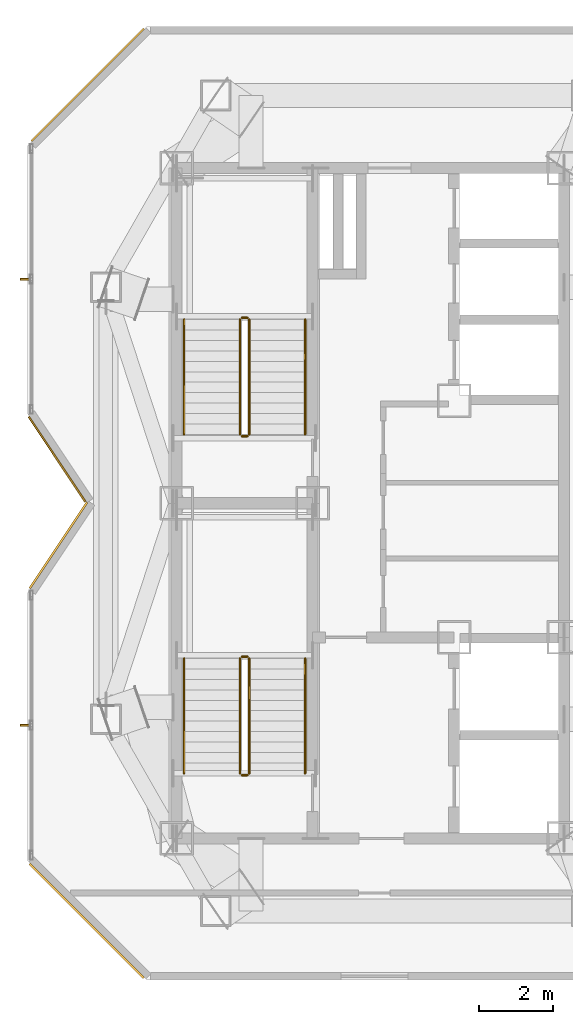
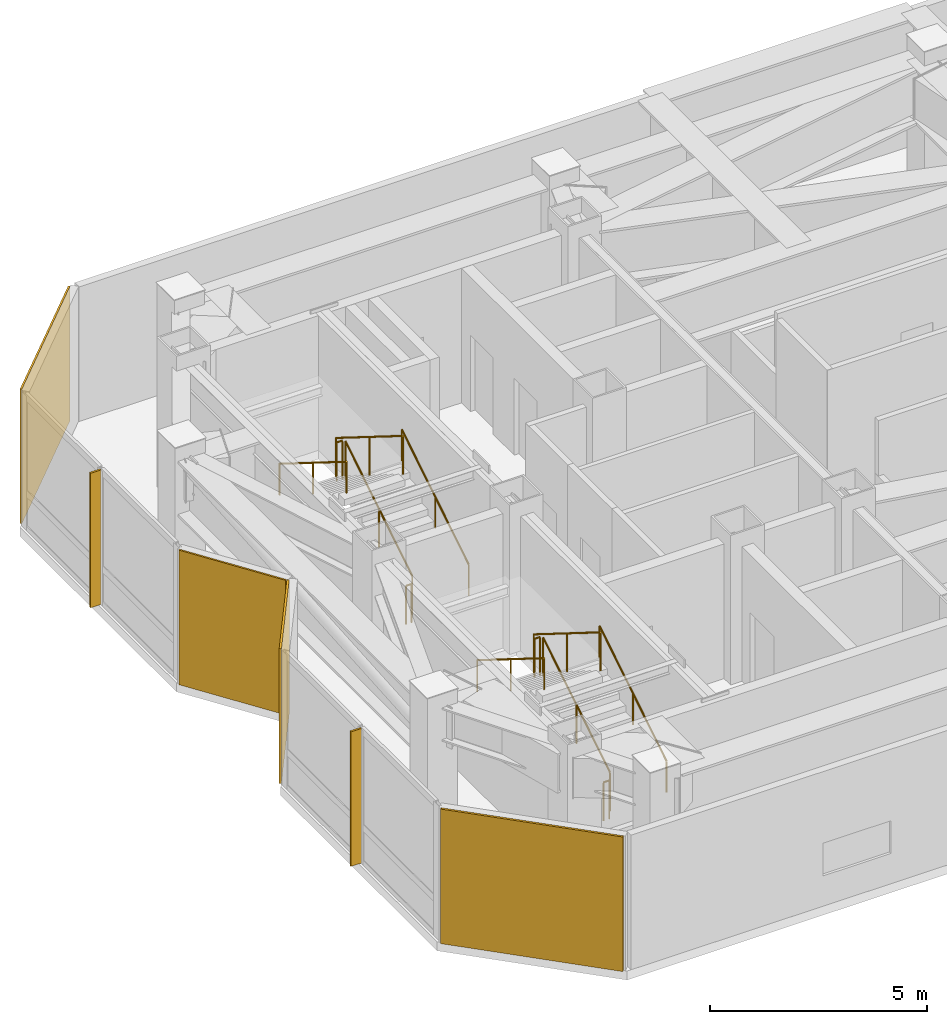
# One storey, part 14 of 15: 12 railings, 4 coverings, 2 shading devices.
"""IFC4 building model written with IfcOpenShell, lengths in metres."""

from ifc_helpers import new_model, si_unit, direction, frame, origin, origin_2d, place, context, subcontext, project, spatial, rectangle, circle, extrude, material, layer, layer_set, type_object, element, save


model = new_model("IFC4")

# Units and contexts
model_context = context("Model", 3, precision=1e-05, world=origin(), true_north=direction((0.0, 1.0)))
body_context = subcontext(model_context, "Body", "Model", "MODEL_VIEW")
ifc_project = project(units=[si_unit("LENGTHUNIT", "METRE"), si_unit("AREAUNIT", "SQUARE_METRE"), si_unit("VOLUMEUNIT", "CUBIC_METRE"), si_unit("PLANEANGLEUNIT", "RADIAN"), si_unit("MASSUNIT", "GRAM", prefix="KILO")], contexts=[model_context])

# Site, building, storey
site_placement = place(None, origin())
site = spatial("IfcSite", under=ifc_project, at=site_placement, CompositionType="ELEMENT")
building_placement = place(site_placement, origin())
building = spatial("IfcBuilding", under=site, at=building_placement, Name="Khamvora Tower", CompositionType="ELEMENT")
storey_placement = place(building_placement, frame((0.0, 0.0, 290.449951171875)))
storey = spatial("IfcBuildingStorey", under=building, at=storey_placement, Name="L74", CompositionType="ELEMENT", Elevation=290.449951171875)

# Coverings
ifc_material_1 = material(Name="Pale Anodised Aluminium Rainscreen Panel", Category="aluminium")
ifc_layer_1 = layer(ifc_material_1, 0.044921875)
ifc_layer_set_1 = layer_set([ifc_layer_1], Name="Pale Anodised Aluminium Rainscreen Panel")
covering_type_1 = type_object("IfcCoveringType", Name="COV-CLD-ALU", PredefinedType="CLADDING", material=ifc_layer_set_1)
covering_1_placement = place(storey_placement, frame((25.7890625, 29.18408203125, 0.0), z_axis=(0.0, 0.0, 1.0), x_axis=(-0.554700196226, 0.832050294338, 0.0)))
element("IfcCovering", 1, at=covering_1_placement, inside=storey, type_object=covering_type_1, Name="L74 chamfer rainscreen cladding 04.1", PredefinedType="CLADDING", context=body_context, shape_type="SweptSolid", body=[
    extrude(rectangle(XDim=2.738037109375, YDim=0.044921875, at=origin_2d()), origin(), (0.0, 0.0, 1.0), 3.780029296875),
])
covering_2_placement = place(storey_placement, frame((26.60888671875, 39.235107421875, 0.0), z_axis=(0.0, 0.0, 1.0), x_axis=(0.707106781187, 0.707106781187, 0.0)))
element("IfcCovering", 2, at=covering_2_placement, inside=storey, type_object=covering_type_1, Name="L74 chamfer rainscreen cladding 06.1", PredefinedType="CLADDING", context=body_context, shape_type="SweptSolid", body=[
    extrude(rectangle(XDim=4.280029296875, YDim=0.044921875, at=origin_2d()), origin(), (0.0, 0.0, 1.0), 3.780029296875),
])
ifc_material_2 = material(Name="Anodised Bronze Aluminium Spandrel Panel", Category="aluminium")
ifc_layer_2 = layer(ifc_material_2, 0.054931640625)
ifc_layer_set_2 = layer_set([ifc_layer_2], Name="Anodised Bronze Aluminium Spandrel Panel")
covering_type_2 = type_object("IfcCoveringType", Name="COV-CLD-BRZ", PredefinedType="CLADDING", material=ifc_layer_set_2)
covering_3_placement = place(storey_placement, frame((26.5869140625, 16.787109375, 0.0), z_axis=(0.0, 0.0, 1.0), x_axis=(-0.707106781187, 0.707106781187, 0.0)))
element("IfcCovering", 3, at=covering_3_placement, inside=storey, type_object=covering_type_2, Name="L74 chamfer rainscreen cladding 01.1", PredefinedType="CLADDING", context=body_context, shape_type="SweptSolid", body=[
    extrude(rectangle(XDim=4.342041015625, YDim=0.054931640625, at=origin_2d()), origin(), (0.0, 0.0, 1.0), 3.780029296875),
])
covering_4_placement = place(storey_placement, frame((25.824951171875, 26.8701171875, 0.0), z_axis=(0.0, 0.0, 1.0), x_axis=(0.554700196226, 0.832050294338, 0.0)))
element("IfcCovering", 4, at=covering_4_placement, inside=storey, type_object=covering_type_2, Name="L74 chamfer rainscreen cladding 03.1", PredefinedType="CLADDING", context=body_context, shape_type="SweptSolid", body=[
    extrude(rectangle(XDim=2.77392578125, YDim=0.054931640625, at=origin_2d()), origin(), (0.0, 0.0, 1.0), 3.780029296875),
])

# Railings
ifc_material_3 = material(Name="Brushed Stainless Steel 316", Category="steel")
railing_type_1 = type_object("IfcRailingType", Name="RAL-HDR-920", PredefinedType="HANDRAIL", material=ifc_material_3)
railing_1_placement = place(storey_placement, frame((32.449951171875, 20.75, 0.175048828125)))
element("IfcRailing", 5, at=railing_1_placement, inside=storey, type_object=railing_type_1, Name="L74 ST-01 stair handrail 1", PredefinedType="HANDRAIL", context=body_context, shape_type="SweptSolid", body=[
    extrude(circle(Radius=0.02392578125, at=origin_2d()), frame((0.0, 0.0, 0.8759765625), z_axis=(0.0, 0.847998304005, 0.529998940003), x_axis=(-1.0, 0.0, 0.0)), (0.0, 0.0, 1.0), 3.632080078125),
    extrude(circle(Radius=0.02099609375, at=origin_2d()), origin(), (0.0, 0.0, 1.0), 0.851806640625),
    extrude(circle(Radius=0.02099609375, at=origin_2d()), frame((0.0, 1.5400390625, 0.96240234375)), (0.0, 0.0, 1.0), 0.851806640625),
    extrude(circle(Radius=0.02099609375, at=origin_2d()), frame((0.0, 3.080078125, 1.925048828125)), (0.0, 0.0, 1.0), 0.851806640625),
])
railing_2_placement = place(storey_placement, frame((29.199951171875, 23.830078125, 2.275146484375)))
element("IfcRailing", 6, at=railing_2_placement, inside=storey, type_object=railing_type_1, Name="L74 ST-01 stair handrail 2", PredefinedType="HANDRAIL", context=body_context, shape_type="SweptSolid", body=[
    extrude(circle(Radius=0.02392578125, at=origin_2d()), frame((0.0, 0.0, 0.8759765625), z_axis=(0.0, -0.848028513186, 0.529950602248), x_axis=(1.0, 0.0, 0.0)), (0.0, 0.0, 1.0), 3.632080078125),
    extrude(circle(Radius=0.02099609375, at=origin_2d()), origin(), (0.0, 0.0, 1.0), 0.851806640625),
    extrude(circle(Radius=0.02099609375, at=origin_2d()), frame((0.0, -1.5400390625, 0.96240234375)), (0.0, 0.0, 1.0), 0.851806640625),
    extrude(circle(Radius=0.02099609375, at=origin_2d()), frame((0.0, -3.080078125, 1.9248046875)), (0.0, 0.0, 1.0), 0.851806640625),
])
railing_3_placement = place(storey_placement, frame((32.449951171875, 29.85009765625, 0.175048828125)))
element("IfcRailing", 7, at=railing_3_placement, inside=storey, type_object=railing_type_1, Name="L74 ST-02 stair handrail 1", PredefinedType="HANDRAIL", context=body_context, shape_type="SweptSolid", body=[
    extrude(circle(Radius=0.02392578125, at=origin_2d()), frame((0.0, 0.0, 0.8759765625), z_axis=(0.0, 0.847979421464, 0.530029150871), x_axis=(-1.0, 0.0, 0.0)), (0.0, 0.0, 1.0), 3.632080078125),
    extrude(circle(Radius=0.02099609375, at=origin_2d()), origin(), (0.0, 0.0, 1.0), 0.851806640625),
    extrude(circle(Radius=0.02099609375, at=origin_2d()), frame((0.0, 1.5400390625, 0.96240234375)), (0.0, 0.0, 1.0), 0.851806640625),
    extrude(circle(Radius=0.02099609375, at=origin_2d()), frame((0.0, 3.079833984375, 1.925048828125)), (0.0, 0.0, 1.0), 0.851806640625),
])
railing_4_placement = place(storey_placement, frame((29.199951171875, 32.929931640625, 2.275146484375)))
element("IfcRailing", 8, at=railing_4_placement, inside=storey, type_object=railing_type_1, Name="L74 ST-02 stair handrail 2", PredefinedType="HANDRAIL", context=body_context, shape_type="SweptSolid", body=[
    extrude(circle(Radius=0.02392578125, at=origin_2d()), frame((0.0, 0.0, 0.8759765625), z_axis=(0.0, -0.848009633417, 0.529980812513), x_axis=(1.0, 0.0, 0.0)), (0.0, 0.0, 1.0), 3.6318359375),
    extrude(circle(Radius=0.02099609375, at=origin_2d()), origin(), (0.0, 0.0, 1.0), 0.851806640625),
    extrude(circle(Radius=0.02099609375, at=origin_2d()), frame((0.0, -1.5400390625, 0.96240234375)), (0.0, 0.0, 1.0), 0.851806640625),
    extrude(circle(Radius=0.02099609375, at=origin_2d()), frame((0.0, -3.079833984375, 1.9248046875)), (0.0, 0.0, 1.0), 0.851806640625),
])
ifc_material_4 = material(Name="Stainless Steel 316", Category="steel")
railing_type_2 = type_object("IfcRailingType", Name="RAL-STG-1100", PredefinedType="GUARDRAIL", material=ifc_material_4)
railing_5_placement = place(storey_placement, frame((30.949951171875, 20.75, 0.175048828125)))
element("IfcRailing", 9, at=railing_5_placement, inside=storey, type_object=railing_type_2, Name="L74 ST-01 stair guard 1", PredefinedType="GUARDRAIL", context=body_context, shape_type="SweptSolid", body=[
    extrude(circle(Radius=0.02392578125, at=origin_2d()), frame((0.0, 0.0, 1.076171875), z_axis=(0.0, 0.847998304005, 0.529998940003), x_axis=(-1.0, 0.0, 0.0)), (0.0, 0.0, 1.0), 3.632080078125),
    extrude(circle(Radius=0.02099609375, at=origin_2d()), origin(), (0.0, 0.0, 1.0), 1.052001953125),
    extrude(circle(Radius=0.02099609375, at=origin_2d()), frame((0.0, 1.5400390625, 0.96240234375)), (0.0, 0.0, 1.0), 1.052001953125),
    extrude(circle(Radius=0.02099609375, at=origin_2d()), frame((0.0, 3.080078125, 1.925048828125)), (0.0, 0.0, 1.0), 1.052001953125),
])
railing_6_placement = place(storey_placement, frame((30.89990234375, 23.8798828125, 2.10009765625)))
element("IfcRailing", 10, at=railing_6_placement, inside=storey, type_object=railing_type_2, Name="L74 ST-01 stair guard 2", PredefinedType="GUARDRAIL", context=body_context, shape_type="SweptSolid", body=[
    extrude(circle(Radius=0.02392578125, at=origin_2d()), frame((0.0, 0.0, 1.076171875), z_axis=(-1.0, 0.0, 0.0), x_axis=(0.0, -1.0, 0.0)), (0.0, 0.0, 1.0), 0.14990234375),
    extrude(circle(Radius=0.02099609375, at=origin_2d()), origin(), (0.0, 0.0, 1.0), 1.052001953125),
    extrude(circle(Radius=0.02099609375, at=origin_2d()), frame((-0.14990234375, 0.0, 0.0)), (0.0, 0.0, 1.0), 1.052001953125),
])
railing_7_placement = place(storey_placement, frame((30.699951171875, 23.830078125, 2.275146484375)))
element("IfcRailing", 11, at=railing_7_placement, inside=storey, type_object=railing_type_2, Name="L74 ST-01 stair guard 3", PredefinedType="GUARDRAIL", context=body_context, shape_type="SweptSolid", body=[
    extrude(circle(Radius=0.02392578125, at=origin_2d()), frame((0.0, 0.0, 1.076171875), z_axis=(0.0, -0.848028513186, 0.529950602248), x_axis=(1.0, 0.0, 0.0)), (0.0, 0.0, 1.0), 3.632080078125),
    extrude(circle(Radius=0.02099609375, at=origin_2d()), origin(), (0.0, 0.0, 1.0), 1.052001953125),
    extrude(circle(Radius=0.02099609375, at=origin_2d()), frame((0.0, -1.5400390625, 0.96240234375)), (0.0, 0.0, 1.0), 1.052001953125),
    extrude(circle(Radius=0.02099609375, at=origin_2d()), frame((0.0, -3.080078125, 1.9248046875)), (0.0, 0.0, 1.0), 1.052001953125),
])
railing_8_placement = place(storey_placement, frame((30.89990234375, 20.699951171875, 0.0)))
element("IfcRailing", 12, at=railing_8_placement, inside=storey, type_object=railing_type_2, Name="L74 ST-01 stair guard 4", PredefinedType="GUARDRAIL", context=body_context, shape_type="SweptSolid", body=[
    extrude(circle(Radius=0.02392578125, at=origin_2d()), frame((0.0, 0.0, 1.076171875), z_axis=(-1.0, 0.0, 0.0), x_axis=(0.0, -1.0, 0.0)), (0.0, 0.0, 1.0), 0.14990234375),
    extrude(circle(Radius=0.02099609375, at=origin_2d()), origin(), (0.0, 0.0, 1.0), 1.052001953125),
    extrude(circle(Radius=0.02099609375, at=origin_2d()), frame((-0.14990234375, 0.0, 0.0)), (0.0, 0.0, 1.0), 1.052001953125),
])
railing_9_placement = place(storey_placement, frame((30.949951171875, 29.85009765625, 0.175048828125)))
element("IfcRailing", 13, at=railing_9_placement, inside=storey, type_object=railing_type_2, Name="L74 ST-02 stair guard 1", PredefinedType="GUARDRAIL", context=body_context, shape_type="SweptSolid", body=[
    extrude(circle(Radius=0.02392578125, at=origin_2d()), frame((0.0, 0.0, 1.076171875), z_axis=(0.0, 0.847979421464, 0.530029150871), x_axis=(-1.0, 0.0, 0.0)), (0.0, 0.0, 1.0), 3.632080078125),
    extrude(circle(Radius=0.02099609375, at=origin_2d()), origin(), (0.0, 0.0, 1.0), 1.052001953125),
    extrude(circle(Radius=0.02099609375, at=origin_2d()), frame((0.0, 1.5400390625, 0.96240234375)), (0.0, 0.0, 1.0), 1.052001953125),
    extrude(circle(Radius=0.02099609375, at=origin_2d()), frame((0.0, 3.079833984375, 1.925048828125)), (0.0, 0.0, 1.0), 1.052001953125),
])
railing_10_placement = place(storey_placement, frame((30.89990234375, 32.97998046875, 2.10009765625)))
element("IfcRailing", 14, at=railing_10_placement, inside=storey, type_object=railing_type_2, Name="L74 ST-02 stair guard 2", PredefinedType="GUARDRAIL", context=body_context, shape_type="SweptSolid", body=[
    extrude(circle(Radius=0.02392578125, at=origin_2d()), frame((0.0, 0.0, 1.076171875), z_axis=(-1.0, 0.0, 0.0), x_axis=(0.0, -1.0, 0.0)), (0.0, 0.0, 1.0), 0.14990234375),
    extrude(circle(Radius=0.02099609375, at=origin_2d()), origin(), (0.0, 0.0, 1.0), 1.052001953125),
    extrude(circle(Radius=0.02099609375, at=origin_2d()), frame((-0.14990234375, 0.0, 0.0)), (0.0, 0.0, 1.0), 1.052001953125),
])
railing_11_placement = place(storey_placement, frame((30.699951171875, 32.929931640625, 2.275146484375)))
element("IfcRailing", 15, at=railing_11_placement, inside=storey, type_object=railing_type_2, Name="L74 ST-02 stair guard 3", PredefinedType="GUARDRAIL", context=body_context, shape_type="SweptSolid", body=[
    extrude(circle(Radius=0.02392578125, at=origin_2d()), frame((0.0, 0.0, 1.076171875), z_axis=(0.0, -0.848009633417, 0.529980812513), x_axis=(1.0, 0.0, 0.0)), (0.0, 0.0, 1.0), 3.6318359375),
    extrude(circle(Radius=0.02099609375, at=origin_2d()), origin(), (0.0, 0.0, 1.0), 1.052001953125),
    extrude(circle(Radius=0.02099609375, at=origin_2d()), frame((0.0, -1.5400390625, 0.96240234375)), (0.0, 0.0, 1.0), 1.052001953125),
    extrude(circle(Radius=0.02099609375, at=origin_2d()), frame((0.0, -3.079833984375, 1.9248046875)), (0.0, 0.0, 1.0), 1.052001953125),
])
railing_12_placement = place(storey_placement, frame((30.89990234375, 29.800048828125, 0.0)))
element("IfcRailing", 16, at=railing_12_placement, inside=storey, type_object=railing_type_2, Name="L74 ST-02 stair guard 4", PredefinedType="GUARDRAIL", context=body_context, shape_type="SweptSolid", body=[
    extrude(circle(Radius=0.02392578125, at=origin_2d()), frame((0.0, 0.0, 1.076171875), z_axis=(-1.0, 0.0, 0.0), x_axis=(0.0, -1.0, 0.0)), (0.0, 0.0, 1.0), 0.14990234375),
    extrude(circle(Radius=0.02099609375, at=origin_2d()), origin(), (0.0, 0.0, 1.0), 1.052001953125),
    extrude(circle(Radius=0.02099609375, at=origin_2d()), frame((-0.14990234375, 0.0, 0.0)), (0.0, 0.0, 1.0), 1.052001953125),
])

# Shading devices
ifc_material_5 = material(Name="Pale Anodised Aluminium 6063-T6", Category="aluminium")
shading_device_type = type_object("IfcShadingDeviceType", Name="SHD-FIN-280", PredefinedType="USERDEFINED", material=ifc_material_5)
for number, where, z_axis, x_axis, name in (
    (17, (24.93505859375, 22.037109375, 0.0), (0.0, 0.0, 1.0), (0.0, 1.0, 0.0), "L74 anodised bronze solar fin 02.01"),
    (18, (24.93505859375, 34.01806640625, 0.0), (0.0, 0.0, 1.0), (0.0, 1.0, 0.0), "L74 anodised bronze solar fin 05.01"),
):
    element("IfcShadingDevice", number, at=place(storey_placement, frame(where, z_axis=z_axis, x_axis=x_axis)), inside=storey, type_object=shading_device_type, Name=name, ObjectType="FIN", PredefinedType="USERDEFINED", context=body_context, shape_type="SweptSolid", body=[
        extrude(rectangle(XDim=0.050048828125, YDim=0.280029296875, at=origin_2d()), origin(), (0.0, 0.0, 1.0), 3.780029296875),
    ])

save(model, "model.ifc")
